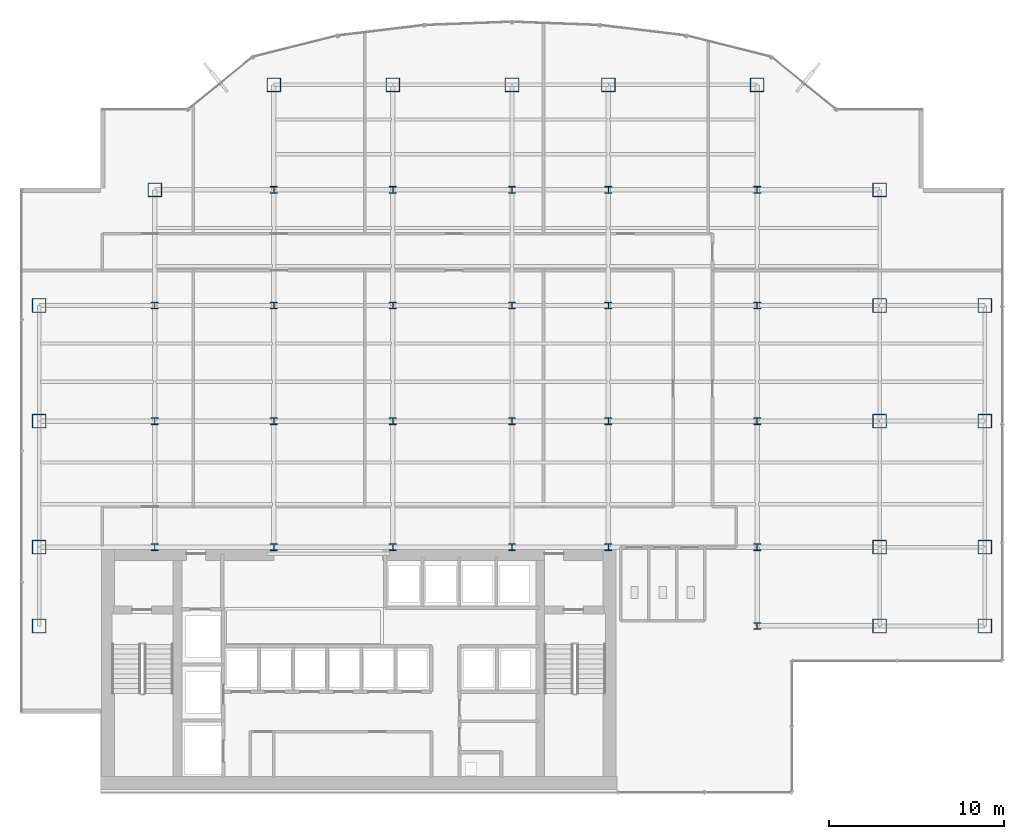
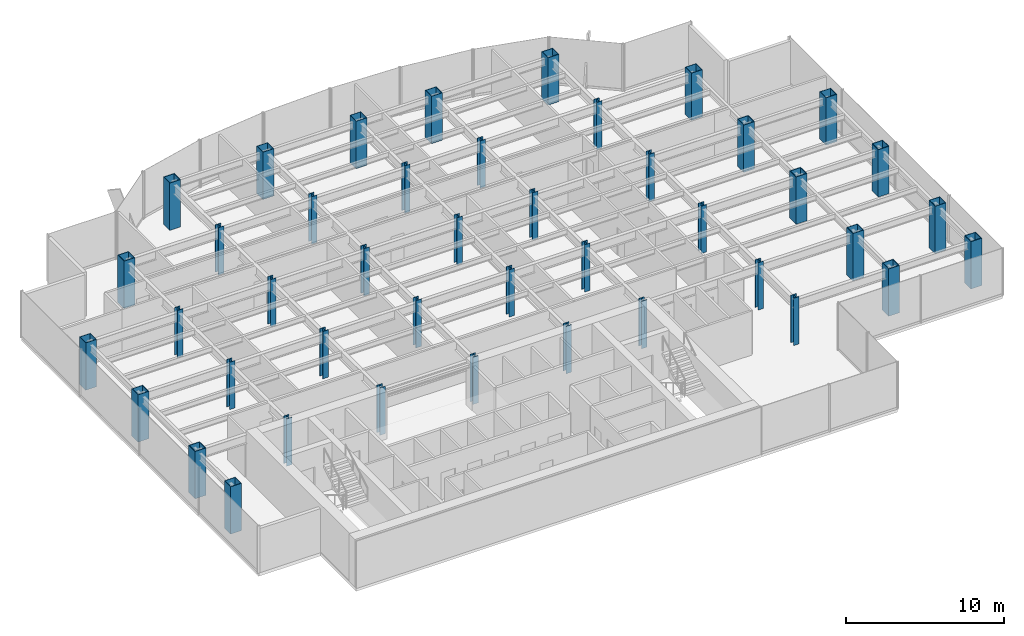
# One storey, part 1 of 26: 43 columns.
"""IFC4 building model written with IfcOpenShell, lengths in metres."""

from ifc_helpers import new_model, si_unit, derived_unit, direction, frame, origin, origin_2d, place, context, subcontext, project, spatial, hollow_rectangle, i_section, extrude, source, transform, mapped, material, material_profile, profile_set, type_object, element, save


model = new_model("IFC4")

# Units and contexts
model_context = context("Model", 3, precision=1e-05, world=origin(), true_north=direction((0.0, 1.0)))
body_context = subcontext(model_context, "Body", "Model", "MODEL_VIEW")
ifc_project = project(units=[si_unit("LENGTHUNIT", "METRE"), si_unit("AREAUNIT", "SQUARE_METRE"), si_unit("VOLUMEUNIT", "CUBIC_METRE"), si_unit("PLANEANGLEUNIT", "RADIAN"), si_unit("MASSUNIT", "GRAM", prefix="KILO"), derived_unit("THERMALTRANSMITTANCEUNIT", [(si_unit("POWERUNIT", "WATT"), 1), (si_unit("LENGTHUNIT", "METRE"), -2), (si_unit("THERMODYNAMICTEMPERATUREUNIT", "KELVIN"), -1)])], contexts=[model_context])

# Site, building, storey
site_placement = place(None, origin())
site = spatial("IfcSite", under=ifc_project, at=site_placement, CompositionType="ELEMENT")
building_placement = place(site_placement, origin())
building = spatial("IfcBuilding", under=site, at=building_placement, Name="Skarnbrae Concourse Arena and Tower", CompositionType="ELEMENT")
storey_placement = place(building_placement, frame((0.0, 0.0, 103.25)))
storey = spatial("IfcBuildingStorey", under=building, at=storey_placement, Name="L25", CompositionType="ELEMENT", Elevation=103.25)

# Columns
ifc_material = material(Name="Steel CSA G40.21 350W", Category="steel")
ifc_material_profile_1 = material_profile(ifc_material, hollow_rectangle(XDim=0.800048828125, YDim=0.800048828125, WallThickness=0.0400390625, at=origin_2d()), Name="BOX800X800X40")
ifc_profile_set_1 = profile_set([ifc_material_profile_1], Name="Steel CSA G40.21 350W")
column_type_1 = type_object("IfcColumnType", Name="COL-TUBE-BOX800", PredefinedType="COLUMN", material=ifc_profile_set_1)
shared_shape_1 = source(origin(), body_context, "Body", "SweptSolid", [
    extrude(hollow_rectangle(XDim=0.800048828125, YDim=0.800048828125, WallThickness=0.0400390625, at=origin_2d()), origin(), (0.0, 0.0, 1.0), 3.64990234375),
])
for number, where, z_axis, x_axis, name in (
    (1, (1.0, 9.5, 0.0), (0.0, 0.0, 1.0), (1.0, 0.0, 0.0), "L25 Tower column PC_01_01"),
    (2, (1.0, 14.0, 0.0), (0.0, 0.0, 1.0), (1.0, 0.0, 0.0), "L25 Tower column PC_01_02"),
    (3, (1.0, 21.199951171875, 0.0), (0.0, 0.0, 1.0), (1.0, 0.0, 0.0), "L25 Tower column PC_01_03"),
    (4, (1.0, 27.800048828125, 0.0), (0.0, 0.0, 1.0), (1.0, 0.0, 0.0), "L25 Tower column PC_01_04"),
    (5, (7.60009765625, 34.39990234375, 0.0), (0.0, 0.0, 1.0), (1.0, 0.0, 0.0), "L25 Tower column PC_02_05"),
    (6, (14.39990234375, 40.39990234375, 0.0), (0.0, 0.0, 1.0), (1.0, 0.0, 0.0), "L25 Tower column PC_03_06"),
    (7, (21.199951171875, 40.39990234375, 0.0), (0.0, 0.0, 1.0), (1.0, 0.0, 0.0), "L25 Tower column PC_04_06"),
    (8, (28.0, 40.39990234375, 0.0), (0.0, 0.0, 1.0), (1.0, 0.0, 0.0), "L25 Tower column PC_05_06"),
    (9, (33.5, 40.39990234375, 0.0), (0.0, 0.0, 1.0), (1.0, 0.0, 0.0), "L25 Tower column PC_06_06"),
    (10, (42.0, 40.39990234375, 0.0), (0.0, 0.0, 1.0), (1.0, 0.0, 0.0), "L25 Tower column PC_07_06"),
    (11, (49.0, 9.5, 0.0), (0.0, 0.0, 1.0), (1.0, 0.0, 0.0), "L25 Tower column PC_08_01"),
    (12, (49.0, 14.0, 0.0), (0.0, 0.0, 1.0), (1.0, 0.0, 0.0), "L25 Tower column PC_08_02"),
    (13, (49.0, 21.199951171875, 0.0), (0.0, 0.0, 1.0), (1.0, 0.0, 0.0), "L25 Tower column PC_08_03"),
    (14, (49.0, 27.800048828125, 0.0), (0.0, 0.0, 1.0), (1.0, 0.0, 0.0), "L25 Tower column PC_08_04"),
    (15, (49.0, 34.39990234375, 0.0), (0.0, 0.0, 1.0), (1.0, 0.0, 0.0), "L25 Tower column PC_08_05"),
    (16, (55.0, 9.5, 0.0), (0.0, 0.0, 1.0), (1.0, 0.0, 0.0), "L25 Tower column PC_09_01"),
    (17, (55.0, 14.0, 0.0), (0.0, 0.0, 1.0), (1.0, 0.0, 0.0), "L25 Tower column PC_09_02"),
    (18, (55.0, 21.199951171875, 0.0), (0.0, 0.0, 1.0), (1.0, 0.0, 0.0), "L25 Tower column PC_09_03"),
    (19, (55.0, 27.800048828125, 0.0), (0.0, 0.0, 1.0), (1.0, 0.0, 0.0), "L25 Tower column PC_09_04"),
):
    element("IfcColumn", number, at=place(storey_placement, frame(where, z_axis=z_axis, x_axis=x_axis)), inside=storey, type_object=column_type_1, Name=name, PredefinedType="COLUMN", context=body_context, shape_type="MappedRepresentation", body=[
        mapped(shared_shape_1, transform((0.0, 0.0, 0.0))),
    ])
ifc_material_profile_2 = material_profile(ifc_material, i_section(OverallWidth=0.39892578125, OverallDepth=0.39306640625, WebThickness=0.022705078125, FlangeThickness=0.03662109375, at=origin_2d()), Name="W360X287")
ifc_profile_set_2 = profile_set([ifc_material_profile_2], Name="Steel CSA G40.21 350W")
column_type_2 = type_object("IfcColumnType", Name="COL-INT-W360X287", PredefinedType="COLUMN", material=ifc_profile_set_2)
shared_shape_2 = source(origin(), body_context, "Body", "SweptSolid", [
    extrude(i_section(OverallWidth=0.39892578125, OverallDepth=0.39306640625, WebThickness=0.022705078125, FlangeThickness=0.03662109375, at=origin_2d()), origin(), (0.0, 0.0, 1.0), 3.64990234375),
])
for number, where, z_axis, x_axis, name in (
    (20, (7.60009765625, 14.0, 0.0), (0.0, 0.0, 1.0), (1.0, 0.0, 0.0), "L25 Tower column IC_02_02"),
    (21, (7.60009765625, 21.199951171875, 0.0), (0.0, 0.0, 1.0), (1.0, 0.0, 0.0), "L25 Tower column IC_02_03"),
    (22, (7.60009765625, 27.800048828125, 0.0), (0.0, 0.0, 1.0), (1.0, 0.0, 0.0), "L25 Tower column IC_02_04"),
    (23, (14.39990234375, 14.0, 0.0), (0.0, 0.0, 1.0), (1.0, 0.0, 0.0), "L25 Tower column IC_03_02"),
    (24, (14.39990234375, 21.199951171875, 0.0), (0.0, 0.0, 1.0), (1.0, 0.0, 0.0), "L25 Tower column IC_03_03"),
    (25, (14.39990234375, 27.800048828125, 0.0), (0.0, 0.0, 1.0), (1.0, 0.0, 0.0), "L25 Tower column IC_03_04"),
    (26, (14.39990234375, 34.39990234375, 0.0), (0.0, 0.0, 1.0), (1.0, 0.0, 0.0), "L25 Tower column IC_03_05"),
    (27, (21.199951171875, 14.0, 0.0), (0.0, 0.0, 1.0), (1.0, 0.0, 0.0), "L25 Tower column IC_04_02"),
    (28, (21.199951171875, 21.199951171875, 0.0), (0.0, 0.0, 1.0), (1.0, 0.0, 0.0), "L25 Tower column IC_04_03"),
    (29, (21.199951171875, 27.800048828125, 0.0), (0.0, 0.0, 1.0), (1.0, 0.0, 0.0), "L25 Tower column IC_04_04"),
    (30, (21.199951171875, 34.39990234375, 0.0), (0.0, 0.0, 1.0), (1.0, 0.0, 0.0), "L25 Tower column IC_04_05"),
    (31, (28.0, 14.0, 0.0), (0.0, 0.0, 1.0), (1.0, 0.0, 0.0), "L25 Tower column IC_05_02"),
    (32, (28.0, 21.199951171875, 0.0), (0.0, 0.0, 1.0), (1.0, 0.0, 0.0), "L25 Tower column IC_05_03"),
    (33, (28.0, 27.800048828125, 0.0), (0.0, 0.0, 1.0), (1.0, 0.0, 0.0), "L25 Tower column IC_05_04"),
    (34, (28.0, 34.39990234375, 0.0), (0.0, 0.0, 1.0), (1.0, 0.0, 0.0), "L25 Tower column IC_05_05"),
    (35, (33.5, 14.0, 0.0), (0.0, 0.0, 1.0), (1.0, 0.0, 0.0), "L25 Tower column IC_06_02"),
    (36, (33.5, 21.199951171875, 0.0), (0.0, 0.0, 1.0), (1.0, 0.0, 0.0), "L25 Tower column IC_06_03"),
    (37, (33.5, 27.800048828125, 0.0), (0.0, 0.0, 1.0), (1.0, 0.0, 0.0), "L25 Tower column IC_06_04"),
    (38, (33.5, 34.39990234375, 0.0), (0.0, 0.0, 1.0), (1.0, 0.0, 0.0), "L25 Tower column IC_06_05"),
    (39, (42.0, 9.5, 0.0), (0.0, 0.0, 1.0), (1.0, 0.0, 0.0), "L25 Tower column IC_07_01"),
    (40, (42.0, 14.0, 0.0), (0.0, 0.0, 1.0), (1.0, 0.0, 0.0), "L25 Tower column IC_07_02"),
    (41, (42.0, 21.199951171875, 0.0), (0.0, 0.0, 1.0), (1.0, 0.0, 0.0), "L25 Tower column IC_07_03"),
    (42, (42.0, 27.800048828125, 0.0), (0.0, 0.0, 1.0), (1.0, 0.0, 0.0), "L25 Tower column IC_07_04"),
    (43, (42.0, 34.39990234375, 0.0), (0.0, 0.0, 1.0), (1.0, 0.0, 0.0), "L25 Tower column IC_07_05"),
):
    element("IfcColumn", number, at=place(storey_placement, frame(where, z_axis=z_axis, x_axis=x_axis)), inside=storey, type_object=column_type_2, Name=name, PredefinedType="COLUMN", context=body_context, shape_type="MappedRepresentation", body=[
        mapped(shared_shape_2, transform((0.0, 0.0, 0.0))),
    ])

save(model, "model.ifc")
